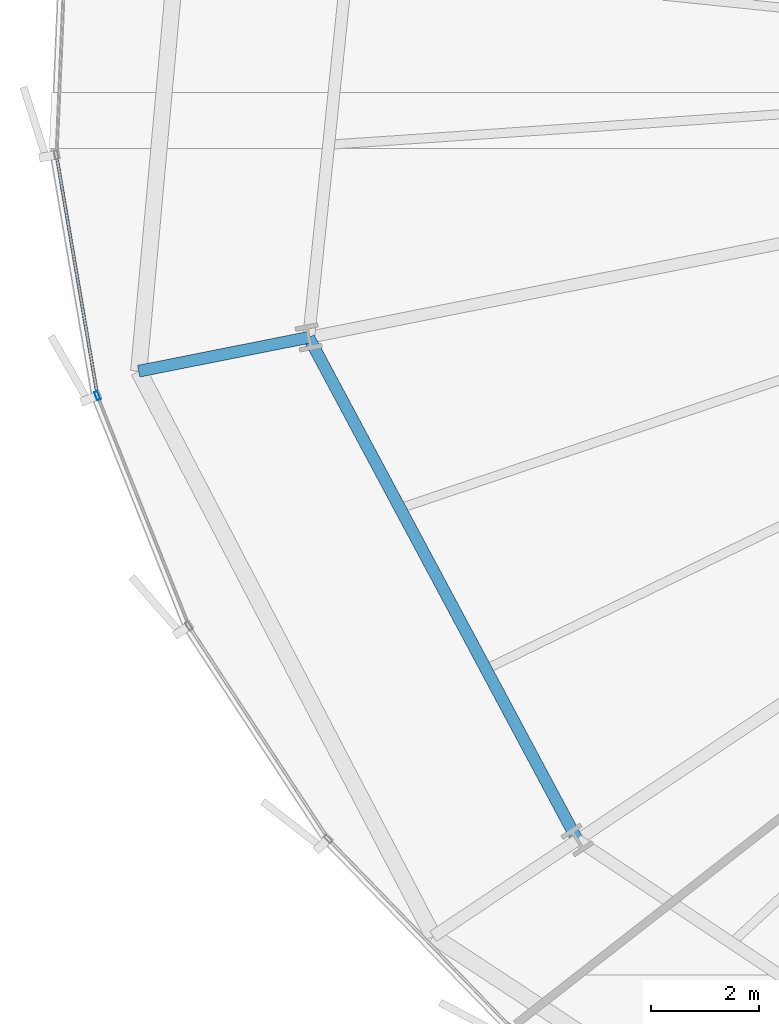
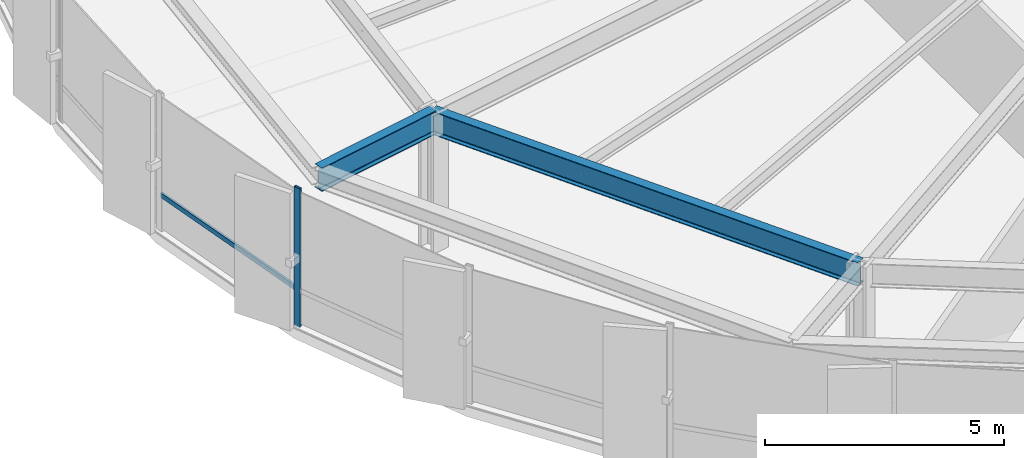
# One storey, part 7 of 39: 2 beams, 2 members, 1 element without a shape of its own.
"""IFC4 building model written with IfcOpenShell, lengths in metres."""

from ifc_helpers import new_model, si_unit, direction, frame, origin, origin_2d, place, context, subcontext, project, spatial, hollow_rectangle, i_section, extrude, source, transform, mapped, material, layer, layer_set, material_profile, profile_set, type_object, element, aggregate, save


model = new_model("IFC4")

# Units and contexts
model_context = context("Model", 3, precision=1e-05, world=origin(), true_north=direction((0.0, 1.0)))
body_context = subcontext(model_context, "Body", "Model", "MODEL_VIEW")
ifc_project = project(units=[si_unit("LENGTHUNIT", "METRE"), si_unit("AREAUNIT", "SQUARE_METRE"), si_unit("VOLUMEUNIT", "CUBIC_METRE"), si_unit("PLANEANGLEUNIT", "RADIAN"), si_unit("MASSUNIT", "GRAM", prefix="KILO"), si_unit("THERMODYNAMICTEMPERATUREUNIT", "KELVIN")], contexts=[model_context])

# Site, building, storey
site_placement = place(None, origin())
site = spatial("IfcSite", under=ifc_project, at=site_placement, CompositionType="ELEMENT")
building_placement = place(site_placement, origin())
building = spatial("IfcBuilding", under=site, at=building_placement, Name="Kethvar Cultural Tower", CompositionType="ELEMENT")
storey_placement = place(building_placement, frame((0.0, 0.0, 44.800048828125)))
storey = spatial("IfcBuildingStorey", under=building, at=storey_placement, Name="L10", CompositionType="ELEMENT", Elevation=44.800048828125)

# Beams
ifc_material_1 = material(Name="Steel S355J2", Category="steel")
ifc_material_profile_1 = material_profile(ifc_material_1, i_section(OverallWidth=0.219970703125, OverallDepth=0.60009765625, WebThickness=0.011962890625, FlangeThickness=0.01904296875, FilletRadius=0.02392578125, at=origin_2d()), Name="Steel S355J2 — IPE600")
ifc_profile_set_1 = profile_set([ifc_material_profile_1], Name="Steel S355J2 — IPE600")
beam_type = type_object("IfcBeamType", Name="BM-IPE600", PredefinedType="BEAM", material=ifc_profile_set_1)
shared_shape_1 = source(origin(), body_context, "Body", "SweptSolid", [
    extrude(i_section(OverallWidth=0.219970703125, OverallDepth=0.60009765625, WebThickness=0.011962890625, FlangeThickness=0.01904296875, FilletRadius=0.02392578125, at=origin_2d()), origin(), (0.0, 0.0, 1.0), 3.199951171875),
])
beam_1_placement = place(storey_placement, frame((19.9658203125, 22.46240234375, 3.248046875), z_axis=(-0.980785550224, -0.195088965533, 0.0), x_axis=(0.195088965533, -0.980785550224, 0.0)))
element("IfcBeam", 1, at=beam_1_placement, inside=storey, type_object=beam_type, Name="L10 Perimeter Cantilever Beam RC-09", PredefinedType="BEAM", context=body_context, shape_type="MappedRepresentation", body=[
    mapped(shared_shape_1, transform((0.0, 0.0, 0.0), scale=1.0)),
])
shared_shape_2 = source(origin(), body_context, "Body", "SweptSolid", [
    extrude(i_section(OverallWidth=0.219970703125, OverallDepth=0.60009765625, WebThickness=0.011962890625, FlangeThickness=0.01904296875, FilletRadius=0.02392578125, at=origin_2d()), origin(), (0.0, 0.0, 1.0), 10.52099609375),
])
beam_2_placement = place(storey_placement, frame((19.9658203125, 22.46240234375, 3.248046875), z_axis=(0.471339616984, -0.881951793162, 0.0), x_axis=(0.881951793162, 0.471339616984, 0.0)))
element("IfcBeam", 2, at=beam_2_placement, inside=storey, type_object=beam_type, Name="L10 Column Ring Tie Beam CR-09", PredefinedType="BEAM", context=body_context, shape_type="MappedRepresentation", body=[
    mapped(shared_shape_2, transform((0.0, 0.0, 0.0), scale=1.0)),
])

# Curtain wall, members
ifc_material_2 = material(Name="Aluminium 6063-T6", Category="aluminium")
ifc_layer = layer(ifc_material_2, 0.179931640625, Name="Aluminium 6063-T6", Category="aluminium")
ifc_layer_set = layer_set([ifc_layer], Name="Aluminium 6063-T6 (180 mm)")
curtain_wall_type = type_object("IfcCurtainWallType", Name="CW-SYS-02-Z1", PredefinedType="NOTDEFINED", material=ifc_layer_set)
curtain_wall_placement = place(storey_placement, origin())
curtain_wall = element("IfcCurtainWall", 3, at=curtain_wall_placement, inside=storey, type_object=curtain_wall_type, Name="L10 Curtain Wall Run 04", PredefinedType="NOTDEFINED")
ifc_material_profile_2 = material_profile(ifc_material_2, hollow_rectangle(XDim=0.06494140625, YDim=0.159912109375, WallThickness=0.0048828125, at=origin_2d()), Name="Aluminium 6063-T6 — RHS160x65x5")
ifc_profile_set_2 = profile_set([ifc_material_profile_2], Name="Aluminium 6063-T6 — RHS160x65x5")
member_type_1 = type_object("IfcMemberType", Name="CW-SYS-02-Z1-MUL", PredefinedType="MULLION", material=ifc_profile_set_2)
shared_shape_3 = source(origin(), body_context, "Body", "SweptSolid", [
    extrude(hollow_rectangle(XDim=0.06494140625, YDim=0.159912109375, WallThickness=0.0048828125, at=origin_2d()), origin(), (0.0, 0.0, 1.0), 3.550048828125),
])
member_1_placement = place(storey_placement, frame((16.064208984375, 21.385986328125, 0.0), z_axis=(0.0, 0.0, 1.0), x_axis=(0.929132571534, 0.369746757274, 0.0)))
member_1 = element("IfcMember", 4, at=member_1_placement, type_object=member_type_1, Name="CW-L10-R04 Mullion 3", PredefinedType="MULLION", context=body_context, shape_type="MappedRepresentation", body=[
    mapped(shared_shape_3, transform((0.0, 0.0, 0.0), scale=1.0)),
])
ifc_material_profile_3 = material_profile(ifc_material_2, hollow_rectangle(XDim=0.054931640625, YDim=0.1201171875, WallThickness=0.00390625, at=origin_2d()), Name="Aluminium 6063-T6 — RHS120x55x4")
ifc_profile_set_3 = profile_set([ifc_material_profile_3], Name="Aluminium 6063-T6 — RHS120x55x4")
member_type_2 = type_object("IfcMemberType", Name="CW-SYS-02-Z1-TRN", PredefinedType="USERDEFINED", material=ifc_profile_set_3)
shared_shape_4 = source(origin(), body_context, "Body", "SweptSolid", [
    extrude(hollow_rectangle(XDim=0.054931640625, YDim=0.1201171875, WallThickness=0.00390625, at=origin_2d()), origin(), (0.0, 0.0, 1.0), 4.44091796875),
])
member_2_placement = place(storey_placement, frame((15.3154296875, 25.785400390625, 0.949951171875), z_axis=(0.16833815593, -0.985729306279, 0.0), x_axis=(0.985729306279, 0.16833815593, 0.0)))
member_2 = element("IfcMember", 5, at=member_2_placement, type_object=member_type_2, Name="CW-L10-R04 Transom 2", ObjectType="TRANSOM", PredefinedType="USERDEFINED", context=body_context, shape_type="MappedRepresentation", body=[
    mapped(shared_shape_4, transform((0.0, 0.0, 0.0), scale=1.0)),
])
aggregate(curtain_wall, [member_1, member_2])

save(model, "model.ifc")
